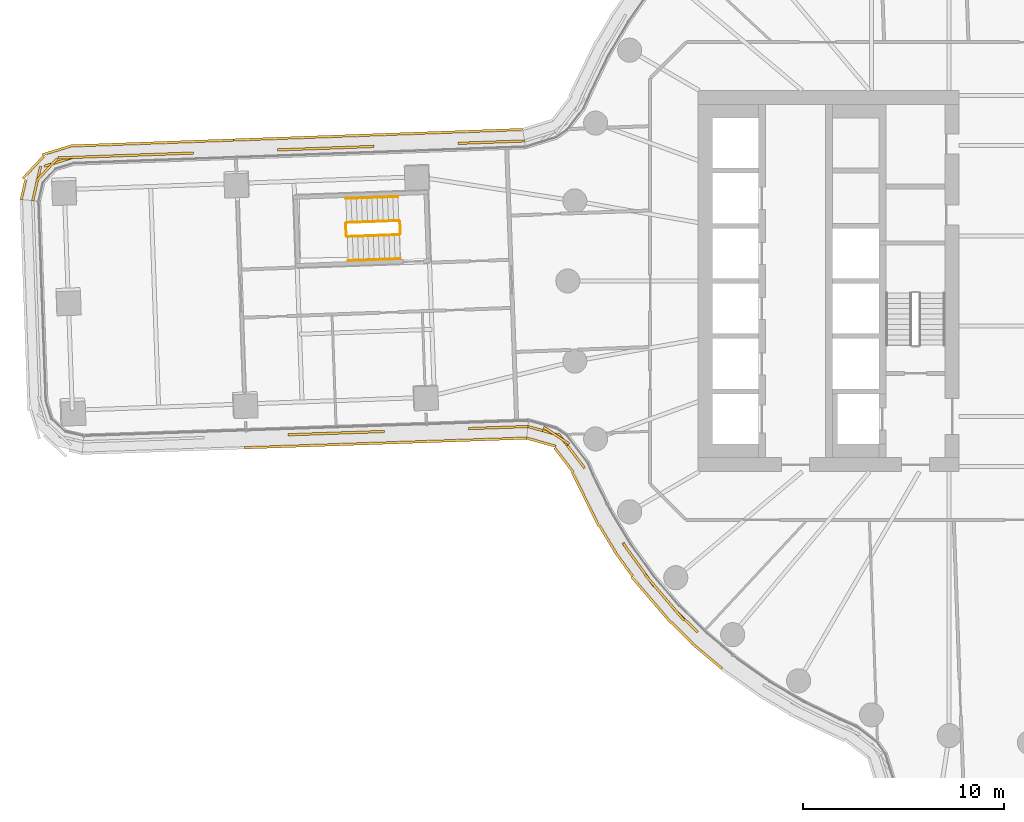
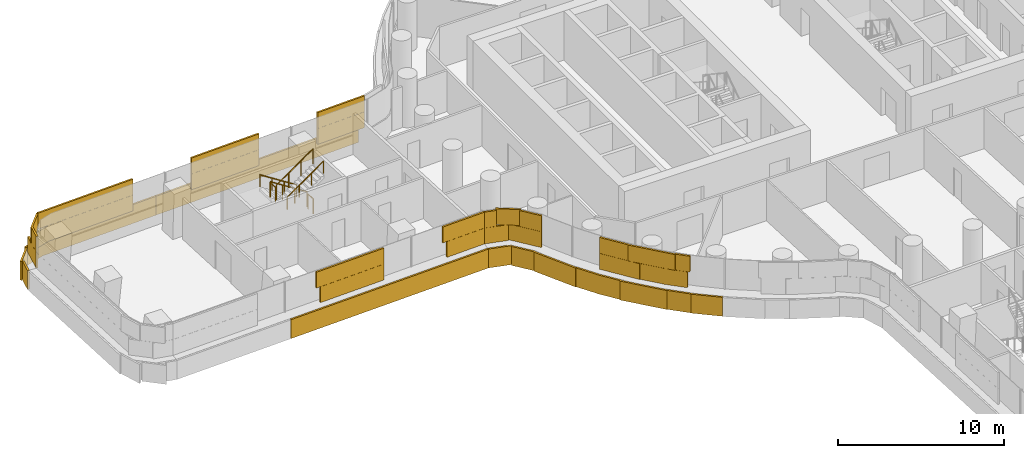
# One storey, part 27 of 31: 6 railings, 4 coverings.
"""IFC4 building model written with IfcOpenShell, lengths in metres."""

from ifc_helpers import new_model, si_unit, direction, frame, origin, origin_2d, place, context, subcontext, project, spatial, rectangle, circle, extrude, material, layer, layer_set, type_object, element, save


model = new_model("IFC4")

# Units and contexts
model_context = context("Model", 3, precision=1e-05, world=origin(), true_north=direction((0.0, 1.0)))
body_context = subcontext(model_context, "Body", "Model", "MODEL_VIEW")
ifc_project = project(units=[si_unit("LENGTHUNIT", "METRE"), si_unit("AREAUNIT", "SQUARE_METRE"), si_unit("VOLUMEUNIT", "CUBIC_METRE"), si_unit("PLANEANGLEUNIT", "RADIAN"), si_unit("MASSUNIT", "GRAM", prefix="KILO")], contexts=[model_context])

# Site, building, storey
site_placement = place(None, origin())
site = spatial("IfcSite", under=ifc_project, at=site_placement, CompositionType="ELEMENT")
building_placement = place(site_placement, origin())
building = spatial("IfcBuilding", under=site, at=building_placement, Name="Tamarind Cross Interchange Tower", CompositionType="ELEMENT")
storey_placement = place(building_placement, frame((0.0, 0.0, 41.5)))
storey = spatial("IfcBuildingStorey", under=building, at=storey_placement, Name="L08", CompositionType="ELEMENT", Elevation=41.5)

# Railings
ifc_material_1 = material(Name="Stair guard")
railing_type_1 = type_object("IfcRailingType", Name="Stair guard", PredefinedType="GUARDRAIL", material=ifc_material_1)
railing_1_placement = place(storey_placement, frame((-31.416015625, 3.0087890625, 0.17041015625)))
element("IfcRailing", 1, at=railing_1_placement, inside=storey, type_object=railing_type_1, Name="L08 ST5 stair guard 1", PredefinedType="GUARDRAIL", context=body_context, shape_type="SweptSolid", body=[
    extrude(circle(Radius=0.02392578125, at=origin_2d()), frame((0.0, 0.0, 1.076171875), z_axis=(-0.835723001818, -0.030548416436, 0.54830088317), x_axis=(0.036528883713, -0.999332597614, 0.0)), (0.0, 0.0, 1.0), 3.10888671875),
    extrude(circle(Radius=0.02099609375, at=origin_2d()), origin(), (0.0, 0.0, 1.0), 1.052001953125),
    extrude(circle(Radius=0.02099609375, at=origin_2d()), frame((-0.865966796875, -0.03173828125, 0.568115234375)), (0.0, 0.0, 1.0), 1.052001953125),
    extrude(circle(Radius=0.02099609375, at=origin_2d()), frame((-1.732177734375, -0.063232421875, 1.136474609375)), (0.0, 0.0, 1.0), 1.052001953125),
    extrude(circle(Radius=0.02099609375, at=origin_2d()), frame((-2.59814453125, -0.094970703125, 1.70458984375)), (0.0, 0.0, 1.0), 1.052001953125),
])
railing_2_placement = place(storey_placement, frame((-34.0625, 2.862060546875, 1.875)))
element("IfcRailing", 2, at=railing_2_placement, inside=storey, type_object=railing_type_1, Name="L08 ST5 stair guard 2", PredefinedType="GUARDRAIL", context=body_context, shape_type="SweptSolid", body=[
    extrude(circle(Radius=0.02392578125, at=origin_2d()), frame((0.0, 0.0, 1.076171875), z_axis=(0.036620371511, -0.999329249242, 0.0), x_axis=(0.999329249242, 0.036620371511, 0.0)), (0.0, 0.0, 1.0), 0.60009765625),
    extrude(circle(Radius=0.02099609375, at=origin_2d()), origin(), (0.0, 0.0, 1.0), 1.052001953125),
    extrude(circle(Radius=0.02099609375, at=origin_2d()), frame((0.02197265625, -0.599609375, 0.0)), (0.0, 0.0, 1.0), 1.052001953125),
])
railing_3_placement = place(storey_placement, frame((-33.98876953125, 2.21435546875, 2.04541015625)))
element("IfcRailing", 3, at=railing_3_placement, inside=storey, type_object=railing_type_1, Name="L08 ST5 stair guard 3", PredefinedType="GUARDRAIL", context=body_context, shape_type="SweptSolid", body=[
    extrude(circle(Radius=0.02392578125, at=origin_2d()), frame((0.0, 0.0, 1.076171875), z_axis=(0.835748683852, 0.03046795916, 0.548266213535), x_axis=(-0.036431685105, 0.999336145809, 0.0)), (0.0, 0.0, 1.0), 3.109130859375),
    extrude(circle(Radius=0.02099609375, at=origin_2d()), origin(), (0.0, 0.0, 1.0), 1.052001953125),
    extrude(circle(Radius=0.02099609375, at=origin_2d()), frame((0.8662109375, 0.031494140625, 0.568115234375)), (0.0, 0.0, 1.0), 1.052001953125),
    extrude(circle(Radius=0.02099609375, at=origin_2d()), frame((1.732177734375, 0.063232421875, 1.136474609375)), (0.0, 0.0, 1.0), 1.052001953125),
    extrude(circle(Radius=0.02099609375, at=origin_2d()), frame((2.598388671875, 0.0947265625, 1.70458984375)), (0.0, 0.0, 1.0), 1.052001953125),
])
railing_4_placement = place(storey_placement, frame((-31.3642578125, 2.96044921875, 0.0)))
element("IfcRailing", 4, at=railing_4_placement, inside=storey, type_object=railing_type_1, Name="L08 ST5 stair guard 4", PredefinedType="GUARDRAIL", context=body_context, shape_type="SweptSolid", body=[
    extrude(circle(Radius=0.02392578125, at=origin_2d()), frame((0.0, 0.0, 1.076171875), z_axis=(0.036620371511, -0.999329249242, 0.0), x_axis=(0.999329249242, 0.036620371511, 0.0)), (0.0, 0.0, 1.0), 0.60009765625),
    extrude(circle(Radius=0.02099609375, at=origin_2d()), origin(), (0.0, 0.0, 1.0), 1.052001953125),
    extrude(circle(Radius=0.02099609375, at=origin_2d()), frame((0.02197265625, -0.599609375, 0.0)), (0.0, 0.0, 1.0), 1.052001953125),
])
ifc_material_2 = material(Name="Stair handrail")
railing_type_2 = type_object("IfcRailingType", Name="Stair handrail", PredefinedType="HANDRAIL", material=ifc_material_2)
railing_5_placement = place(storey_placement, frame((-31.459716796875, 4.207763671875, 0.17041015625)))
element("IfcRailing", 5, at=railing_5_placement, inside=storey, type_object=railing_type_2, Name="L08 ST5 stair handrail 1", PredefinedType="HANDRAIL", context=body_context, shape_type="SweptSolid", body=[
    extrude(circle(Radius=0.02392578125, at=origin_2d()), frame((0.0, 0.0, 0.8759765625), z_axis=(-0.835748683852, -0.03046795916, 0.548266213535), x_axis=(0.036431685105, -0.999336145809, 0.0)), (0.0, 0.0, 1.0), 3.109130859375),
    extrude(circle(Radius=0.02099609375, at=origin_2d()), origin(), (0.0, 0.0, 1.0), 0.851806640625),
    extrude(circle(Radius=0.02099609375, at=origin_2d()), frame((-0.8662109375, -0.031494140625, 0.568115234375)), (0.0, 0.0, 1.0), 0.851806640625),
    extrude(circle(Radius=0.02099609375, at=origin_2d()), frame((-1.732177734375, -0.063232421875, 1.136474609375)), (0.0, 0.0, 1.0), 0.851806640625),
    extrude(circle(Radius=0.02099609375, at=origin_2d()), frame((-2.598388671875, -0.0947265625, 1.70458984375)), (0.0, 0.0, 1.0), 0.851806640625),
])
railing_6_placement = place(storey_placement, frame((-33.945068359375, 1.01513671875, 2.04541015625)))
element("IfcRailing", 6, at=railing_6_placement, inside=storey, type_object=railing_type_2, Name="L08 ST5 stair handrail 2", PredefinedType="HANDRAIL", context=body_context, shape_type="SweptSolid", body=[
    extrude(circle(Radius=0.02392578125, at=origin_2d()), frame((0.0, 0.0, 0.8759765625), z_axis=(0.835748683852, 0.03046795916, 0.548266213535), x_axis=(-0.036431685105, 0.999336145809, 0.0)), (0.0, 0.0, 1.0), 3.109130859375),
    extrude(circle(Radius=0.02099609375, at=origin_2d()), origin(), (0.0, 0.0, 1.0), 0.851806640625),
    extrude(circle(Radius=0.02099609375, at=origin_2d()), frame((0.8662109375, 0.031494140625, 0.568115234375)), (0.0, 0.0, 1.0), 0.851806640625),
    extrude(circle(Radius=0.02099609375, at=origin_2d()), frame((1.732177734375, 0.063232421875, 1.136474609375)), (0.0, 0.0, 1.0), 0.851806640625),
    extrude(circle(Radius=0.02099609375, at=origin_2d()), frame((2.598388671875, 0.0947265625, 1.70458984375)), (0.0, 0.0, 1.0), 0.851806640625),
])

# Coverings
ifc_material_3 = material(Name="Terracotta", Category="masonry")
ifc_layer = layer(ifc_material_3, 0.1201171875)
ifc_layer_set = layer_set([ifc_layer], Name="Terracotta")
covering_type = type_object("IfcCoveringType", Name="Terracotta baguette screen unit", PredefinedType="MOLDING", material=ifc_layer_set)
covering_1_placement = place(storey_placement, origin())
element("IfcCovering", 7, at=covering_1_placement, inside=storey, type_object=covering_type, Name="SCR-L08-01-01", PredefinedType="MOLDING", context=body_context, shape_type="SweptSolid", body=[
    extrude(rectangle(XDim=1.52001953125, YDim=0.1201171875, at=origin_2d()), frame((-35.895263671875, -7.62548828125, 1.404052734375), z_axis=(0.0, 0.0, 1.0), x_axis=(0.999410116016, 0.034342684894, 0.0)), (0.0, 0.0, 1.0), 1.1669921875),
    extrude(rectangle(XDim=1.52001953125, YDim=0.1201171875, at=origin_2d()), frame((-34.396240234375, -7.573974609375, 1.404052734375), z_axis=(0.0, 0.0, 1.0), x_axis=(0.999410116016, 0.034342684894, 0.0)), (0.0, 0.0, 1.0), 1.1669921875),
    extrude(rectangle(XDim=1.52001953125, YDim=0.1201171875, at=origin_2d()), frame((-32.89697265625, -7.5224609375, 1.404052734375), z_axis=(0.0, 0.0, 1.0), x_axis=(0.999410116016, 0.034342684894, 0.0)), (0.0, 0.0, 1.0), 1.1669921875),
    extrude(rectangle(XDim=1.52001953125, YDim=0.1201171875, at=origin_2d()), frame((-26.900634765625, -7.31640625, 1.404052734375), z_axis=(0.0, 0.0, 1.0), x_axis=(0.999410116016, 0.034342684894, 0.0)), (0.0, 0.0, 1.0), 1.1669921875),
    extrude(rectangle(XDim=1.177490234375, YDim=0.1201171875, at=origin_2d()), frame((-25.567626953125, -7.270751953125, 1.404052734375), z_axis=(0.0, 0.0, 1.0), x_axis=(0.999410116016, 0.034342684894, 0.0)), (0.0, 0.0, 1.0), 1.1669921875),
    extrude(rectangle(XDim=1.05859375, YDim=0.1201171875, at=origin_2d()), frame((-36.41943359375, -7.6435546875, 2.5791015625), z_axis=(0.0, 0.0, 1.0), x_axis=(0.999410116016, 0.034342684894, 0.0)), (0.0, 0.0, 1.0), 1.1669921875),
    extrude(rectangle(XDim=1.52001953125, YDim=0.1201171875, at=origin_2d()), frame((-35.145751953125, -7.599853515625, 2.5791015625), z_axis=(0.0, 0.0, 1.0), x_axis=(0.999410116016, 0.034342684894, 0.0)), (0.0, 0.0, 1.0), 1.1669921875),
    extrude(rectangle(XDim=1.52001953125, YDim=0.1201171875, at=origin_2d()), frame((-33.646728515625, -7.54833984375, 2.5791015625), z_axis=(0.0, 0.0, 1.0), x_axis=(0.999410116016, 0.034342684894, 0.0)), (0.0, 0.0, 1.0), 1.1669921875),
    extrude(rectangle(XDim=0.760498046875, YDim=0.1201171875, at=origin_2d()), frame((-32.52197265625, -7.509765625, 2.5791015625), z_axis=(0.0, 0.0, 1.0), x_axis=(0.999410116016, 0.034342684894, 0.0)), (0.0, 0.0, 1.0), 1.1669921875),
    extrude(rectangle(XDim=1.0595703125, YDim=0.1201171875, at=origin_2d()), frame((-27.425048828125, -7.33447265625, 2.5791015625), z_axis=(0.0, 0.0, 1.0), x_axis=(0.999410116016, 0.034342684894, 0.0)), (0.0, 0.0, 1.0), 1.1669921875),
    extrude(rectangle(XDim=1.52001953125, YDim=0.1201171875, at=origin_2d()), frame((-26.151123046875, -7.290771484375, 2.5791015625), z_axis=(0.0, 0.0, 1.0), x_axis=(0.999410116016, 0.034342684894, 0.0)), (0.0, 0.0, 1.0), 1.1669921875),
    extrude(rectangle(XDim=0.427490234375, YDim=0.1201171875, at=origin_2d()), frame((-25.19287109375, -7.2578125, 2.5791015625), z_axis=(0.0, 0.0, 1.0), x_axis=(0.999410116016, 0.034342684894, 0.0)), (0.0, 0.0, 1.0), 1.1669921875),
    extrude(rectangle(XDim=0.913818359375, YDim=0.1201171875, at=origin_2d()), frame((-38.645751953125, -8.29443359375, 0.00390625), z_axis=(0.0, 0.0, 1.0), x_axis=(0.999410116016, 0.034342684894, 0.0)), (0.0, 0.0, 1.0), 1.39208984375),
    extrude(rectangle(XDim=1.52001953125, YDim=0.1201171875, at=origin_2d()), frame((-37.44970703125, -8.25341796875, 0.00390625), z_axis=(0.0, 0.0, 1.0), x_axis=(0.999410116016, 0.034342684894, 0.0)), (0.0, 0.0, 1.0), 1.39208984375),
    extrude(rectangle(XDim=1.52001953125, YDim=0.1201171875, at=origin_2d()), frame((-35.950439453125, -8.201904296875, 0.00390625), z_axis=(0.0, 0.0, 1.0), x_axis=(0.999410116016, 0.034342684894, 0.0)), (0.0, 0.0, 1.0), 1.39208984375),
    extrude(rectangle(XDim=1.52001953125, YDim=0.1201171875, at=origin_2d()), frame((-34.451416015625, -8.150390625, 0.00390625), z_axis=(0.0, 0.0, 1.0), x_axis=(0.999410116016, 0.034342684894, 0.0)), (0.0, 0.0, 1.0), 1.39208984375),
    extrude(rectangle(XDim=1.52001953125, YDim=0.1201171875, at=origin_2d()), frame((-32.9521484375, -8.098876953125, 0.00390625), z_axis=(0.0, 0.0, 1.0), x_axis=(0.999410116016, 0.034342684894, 0.0)), (0.0, 0.0, 1.0), 1.39208984375),
    extrude(rectangle(XDim=1.52001953125, YDim=0.1201171875, at=origin_2d()), frame((-31.453125, -8.04736328125, 0.00390625), z_axis=(0.0, 0.0, 1.0), x_axis=(0.999410116016, 0.034342684894, 0.0)), (0.0, 0.0, 1.0), 1.39208984375),
    extrude(rectangle(XDim=1.52001953125, YDim=0.1201171875, at=origin_2d()), frame((-29.9541015625, -7.995849609375, 0.00390625), z_axis=(0.0, 0.0, 1.0), x_axis=(0.999410116016, 0.034342684894, 0.0)), (0.0, 0.0, 1.0), 1.39208984375),
    extrude(rectangle(XDim=1.52001953125, YDim=0.1201171875, at=origin_2d()), frame((-28.454833984375, -7.9443359375, 0.00390625), z_axis=(0.0, 0.0, 1.0), x_axis=(0.999410116016, 0.034342684894, 0.0)), (0.0, 0.0, 1.0), 1.39208984375),
    extrude(rectangle(XDim=1.52001953125, YDim=0.1201171875, at=origin_2d()), frame((-26.955810546875, -7.892822265625, 0.00390625), z_axis=(0.0, 0.0, 1.0), x_axis=(0.999410116016, 0.034342684894, 0.0)), (0.0, 0.0, 1.0), 1.39208984375),
    extrude(rectangle(XDim=1.16357421875, YDim=0.1201171875, at=origin_2d()), frame((-25.634765625, -7.847412109375, 0.00390625), z_axis=(0.0, 0.0, 1.0), x_axis=(0.999410116016, 0.034342684894, 0.0)), (0.0, 0.0, 1.0), 1.39208984375),
])
covering_2_placement = place(storey_placement, origin())
element("IfcCovering", 8, at=covering_2_placement, inside=storey, type_object=covering_type, Name="SCR-L08-02-00", PredefinedType="MOLDING", context=body_context, shape_type="SweptSolid", body=[
    extrude(rectangle(XDim=1.510009765625, YDim=0.1201171875, at=origin_2d()), frame((-24.261962890625, -7.452392578125, 1.404052734375), z_axis=(0.0, 0.0, 1.0), x_axis=(0.963144482152, -0.268984584131, 0.0)), (0.0, 0.0, 1.0), 1.1669921875),
    extrude(rectangle(XDim=1.52001953125, YDim=0.1201171875, at=origin_2d()), frame((-23.015869140625, -8.201171875, 1.404052734375), z_axis=(0.0, 0.0, 1.0), x_axis=(0.607187130285, -0.794558864286, 0.0)), (0.0, 0.0, 1.0), 1.1669921875),
    extrude(rectangle(XDim=0.66748046875, YDim=0.1201171875, at=origin_2d()), frame((-22.36083984375, -9.058349609375, 1.404052734375), z_axis=(0.0, 0.0, 1.0), x_axis=(0.607187130285, -0.794558864286, 0.0)), (0.0, 0.0, 1.0), 1.1669921875),
    extrude(rectangle(XDim=1.15234375, YDim=0.1201171875, at=origin_2d()), frame((-19.9189453125, -13.521728515625, 1.404052734375), z_axis=(0.0, 0.0, 1.0), x_axis=(0.584573890505, -0.811340475102, 0.0)), (0.0, 0.0, 1.0), 1.1669921875),
    extrude(rectangle(XDim=1.52001953125, YDim=0.1201171875, at=origin_2d()), frame((-19.146484375, -14.59375, 1.404052734375), z_axis=(0.0, 0.0, 1.0), x_axis=(0.584573890505, -0.811340475102, 0.0)), (0.0, 0.0, 1.0), 1.1669921875),
    extrude(rectangle(XDim=1.52001953125, YDim=0.1201171875, at=origin_2d()), frame((-18.19482421875, -15.751953125, 1.404052734375), z_axis=(0.0, 0.0, 1.0), x_axis=(0.64957723968, -0.760295606781, 0.0)), (0.0, 0.0, 1.0), 1.1669921875),
    extrude(rectangle(XDim=1.52001953125, YDim=0.1201171875, at=origin_2d()), frame((-17.18017578125, -16.855224609375, 1.404052734375), z_axis=(0.0, 0.0, 1.0), x_axis=(0.710143317658, -0.704057148523, 0.0)), (0.0, 0.0, 1.0), 1.1669921875),
    extrude(rectangle(XDim=0.760009765625, YDim=0.1201171875, at=origin_2d()), frame((-24.623046875, -7.3515625, 2.5791015625), z_axis=(0.0, 0.0, 1.0), x_axis=(0.963144482152, -0.268984584131, 0.0)), (0.0, 0.0, 1.0), 1.1669921875),
    extrude(rectangle(XDim=1.52001953125, YDim=0.1201171875, at=origin_2d()), frame((-23.561279296875, -7.701904296875, 2.5791015625), z_axis=(0.0, 0.0, 1.0), x_axis=(0.835833182103, -0.548983507671, 0.0)), (0.0, 0.0, 1.0), 1.1669921875),
    extrude(rectangle(XDim=1.41748046875, YDim=0.1201171875, at=origin_2d()), frame((-22.588623046875, -8.76025390625, 2.5791015625), z_axis=(0.0, 0.0, 1.0), x_axis=(0.607187130285, -0.794558864286, 0.0)), (0.0, 0.0, 1.0), 1.1669921875),
    extrude(rectangle(XDim=0.40234375, YDim=0.1201171875, at=origin_2d()), frame((-20.134521484375, -13.215087890625, 2.5791015625), z_axis=(0.0, 0.0, 1.0), x_axis=(0.515577308909, -0.856843065292, 0.0)), (0.0, 0.0, 1.0), 1.1669921875),
    extrude(rectangle(XDim=1.52001953125, YDim=0.1201171875, at=origin_2d()), frame((-19.5849609375, -13.9853515625, 2.5791015625), z_axis=(0.0, 0.0, 1.0), x_axis=(0.584573890505, -0.811340475102, 0.0)), (0.0, 0.0, 1.0), 1.1669921875),
    extrude(rectangle(XDim=1.52001953125, YDim=0.1201171875, at=origin_2d()), frame((-18.681884765625, -15.181640625, 2.5791015625), z_axis=(0.0, 0.0, 1.0), x_axis=(0.64957723968, -0.760295606781, 0.0)), (0.0, 0.0, 1.0), 1.1669921875),
    extrude(rectangle(XDim=1.52001953125, YDim=0.1201171875, at=origin_2d()), frame((-17.70751953125, -16.322265625, 2.5791015625), z_axis=(0.0, 0.0, 1.0), x_axis=(0.64957723968, -0.760295606781, 0.0)), (0.0, 0.0, 1.0), 1.1669921875),
    extrude(rectangle(XDim=0.9140625, YDim=0.1201171875, at=origin_2d()), frame((-16.859130859375, -17.17333984375, 2.5791015625), z_axis=(0.0, 0.0, 1.0), x_axis=(0.710143317658, -0.704057148523, 0.0)), (0.0, 0.0, 1.0), 1.1669921875),
    extrude(rectangle(XDim=1.510009765625, YDim=0.1201171875, at=origin_2d()), frame((-24.326171875, -8.030517578125, 0.00390625), z_axis=(0.0, 0.0, 1.0), x_axis=(0.963144482152, -0.268984584131, 0.0)), (0.0, 0.0, 1.0), 1.39208984375),
    extrude(rectangle(XDim=1.52001953125, YDim=0.1201171875, at=origin_2d()), frame((-23.191162109375, -8.917236328125, 0.00390625), z_axis=(0.0, 0.0, 1.0), x_axis=(0.607187130285, -0.794558864286, 0.0)), (0.0, 0.0, 1.0), 1.39208984375),
    extrude(rectangle(XDim=1.52001953125, YDim=0.1201171875, at=origin_2d()), frame((-22.441650390625, -10.203125, 0.00390625), z_axis=(0.0, 0.0, 1.0), x_axis=(0.443058811505, -0.896492548518, 0.0)), (0.0, 0.0, 1.0), 1.39208984375),
    extrude(rectangle(XDim=1.52001953125, YDim=0.1201171875, at=origin_2d()), frame((-21.777099609375, -11.5478515625, 0.00390625), z_axis=(0.0, 0.0, 1.0), x_axis=(0.443058811505, -0.896492548518, 0.0)), (0.0, 0.0, 1.0), 1.39208984375),
    extrude(rectangle(XDim=1.52001953125, YDim=0.1201171875, at=origin_2d()), frame((-21.026611328125, -12.845703125, 0.00390625), z_axis=(0.0, 0.0, 1.0), x_axis=(0.515577308909, -0.856843065292, 0.0)), (0.0, 0.0, 1.0), 1.39208984375),
    extrude(rectangle(XDim=1.52001953125, YDim=0.1201171875, at=origin_2d()), frame((-20.20849609375, -14.1015625, 0.00390625), z_axis=(0.0, 0.0, 1.0), x_axis=(0.584573890505, -0.811340475102, 0.0)), (0.0, 0.0, 1.0), 1.39208984375),
    extrude(rectangle(XDim=1.52001953125, YDim=0.1201171875, at=origin_2d()), frame((-19.32470703125, -15.31298828125, 0.00390625), z_axis=(0.0, 0.0, 1.0), x_axis=(0.64957723968, -0.760295606781, 0.0)), (0.0, 0.0, 1.0), 1.39208984375),
    extrude(rectangle(XDim=1.52001953125, YDim=0.1201171875, at=origin_2d()), frame((-18.350341796875, -16.453369140625, 0.00390625), z_axis=(0.0, 0.0, 1.0), x_axis=(0.64957723968, -0.760295606781, 0.0)), (0.0, 0.0, 1.0), 1.39208984375),
    extrude(rectangle(XDim=1.52001953125, YDim=0.1201171875, at=origin_2d()), frame((-17.31103515625, -17.53369140625, 0.00390625), z_axis=(0.0, 0.0, 1.0), x_axis=(0.710143317658, -0.704057148523, 0.0)), (0.0, 0.0, 1.0), 1.39208984375),
    extrude(rectangle(XDim=1.52001953125, YDim=0.1201171875, at=origin_2d()), frame((-16.21630859375, -18.557373046875, 0.00390625), z_axis=(0.0, 0.0, 1.0), x_axis=(0.765858396687, -0.643009266048, 0.0)), (0.0, 0.0, 1.0), 1.39208984375),
    extrude(rectangle(XDim=0.443115234375, YDim=0.1201171875, at=origin_2d()), frame((-15.479736328125, -19.175537109375, 0.00390625), z_axis=(0.0, 0.0, 1.0), x_axis=(0.765858396687, -0.643009266048, 0.0)), (0.0, 0.0, 1.0), 1.39208984375),
])
covering_3_placement = place(storey_placement, origin())
element("IfcCovering", 9, at=covering_3_placement, inside=storey, type_object=covering_type, Name="SCR-L08-15-00", PredefinedType="MOLDING", context=body_context, shape_type="SweptSolid", body=[
    extrude(rectangle(XDim=1.510009765625, YDim=0.1201171875, at=origin_2d()), frame((-25.90087890625, 6.952392578125, 1.404052734375), z_axis=(0.0, 0.0, 1.0), x_axis=(-0.999335028671, -0.036462315768, 0.0)), (0.0, 0.0, 1.0), 1.1669921875),
    extrude(rectangle(XDim=1.52001953125, YDim=0.1201171875, at=origin_2d()), frame((-27.39990234375, 6.897705078125, 1.404052734375), z_axis=(0.0, 0.0, 1.0), x_axis=(-0.999335028671, -0.036462315768, 0.0)), (0.0, 0.0, 1.0), 1.1669921875),
    extrude(rectangle(XDim=0.326904296875, YDim=0.1201171875, at=origin_2d()), frame((-28.307861328125, 6.864501953125, 1.404052734375), z_axis=(0.0, 0.0, 1.0), x_axis=(-0.999335028671, -0.036462315768, 0.0)), (0.0, 0.0, 1.0), 1.1669921875),
    extrude(rectangle(XDim=1.492919921875, YDim=0.1201171875, at=origin_2d()), frame((-33.404541015625, 6.6787109375, 1.404052734375), z_axis=(0.0, 0.0, 1.0), x_axis=(-0.999335028671, -0.036462315768, 0.0)), (0.0, 0.0, 1.0), 1.1669921875),
    extrude(rectangle(XDim=1.52001953125, YDim=0.1201171875, at=origin_2d()), frame((-34.89501953125, 6.624267578125, 1.404052734375), z_axis=(0.0, 0.0, 1.0), x_axis=(-0.999335028671, -0.036462315768, 0.0)), (0.0, 0.0, 1.0), 1.1669921875),
    extrude(rectangle(XDim=1.52001953125, YDim=0.1201171875, at=origin_2d()), frame((-36.39404296875, 6.569580078125, 1.404052734375), z_axis=(0.0, 0.0, 1.0), x_axis=(-0.999335028671, -0.036462315768, 0.0)), (0.0, 0.0, 1.0), 1.1669921875),
    extrude(rectangle(XDim=0.326904296875, YDim=0.1201171875, at=origin_2d()), frame((-37.3017578125, 6.536376953125, 1.404052734375), z_axis=(0.0, 0.0, 1.0), x_axis=(-0.999335028671, -0.036462315768, 0.0)), (0.0, 0.0, 1.0), 1.1669921875),
    extrude(rectangle(XDim=0.760009765625, YDim=0.1201171875, at=origin_2d()), frame((-25.526123046875, 6.966064453125, 2.5791015625), z_axis=(0.0, 0.0, 1.0), x_axis=(-0.999335028671, -0.036462315768, 0.0)), (0.0, 0.0, 1.0), 1.1669921875),
    extrude(rectangle(XDim=1.52001953125, YDim=0.1201171875, at=origin_2d()), frame((-26.650390625, 6.925048828125, 2.5791015625), z_axis=(0.0, 0.0, 1.0), x_axis=(-0.999335028671, -0.036462315768, 0.0)), (0.0, 0.0, 1.0), 1.1669921875),
    extrude(rectangle(XDim=1.076904296875, YDim=0.1201171875, at=origin_2d()), frame((-27.93310546875, 6.878173828125, 2.5791015625), z_axis=(0.0, 0.0, 1.0), x_axis=(-0.999335028671, -0.036462315768, 0.0)), (0.0, 0.0, 1.0), 1.1669921875),
    extrude(rectangle(XDim=0.742919921875, YDim=0.1201171875, at=origin_2d()), frame((-33.02978515625, 6.6923828125, 2.5791015625), z_axis=(0.0, 0.0, 1.0), x_axis=(-0.999335028671, -0.036462315768, 0.0)), (0.0, 0.0, 1.0), 1.1669921875),
    extrude(rectangle(XDim=1.52001953125, YDim=0.1201171875, at=origin_2d()), frame((-34.1455078125, 6.651611328125, 2.5791015625), z_axis=(0.0, 0.0, 1.0), x_axis=(-0.999335028671, -0.036462315768, 0.0)), (0.0, 0.0, 1.0), 1.1669921875),
    extrude(rectangle(XDim=1.52001953125, YDim=0.1201171875, at=origin_2d()), frame((-35.64453125, 6.596923828125, 2.5791015625), z_axis=(0.0, 0.0, 1.0), x_axis=(-0.999335028671, -0.036462315768, 0.0)), (0.0, 0.0, 1.0), 1.1669921875),
    extrude(rectangle(XDim=1.076904296875, YDim=0.1201171875, at=origin_2d()), frame((-36.927001953125, 6.550048828125, 2.5791015625), z_axis=(0.0, 0.0, 1.0), x_axis=(-0.999335028671, -0.036462315768, 0.0)), (0.0, 0.0, 1.0), 1.1669921875),
    extrude(rectangle(XDim=1.510009765625, YDim=0.1201171875, at=origin_2d()), frame((-26.0029296875, 7.52294921875, 0.00390625), z_axis=(0.0, 0.0, 1.0), x_axis=(-0.999335028671, -0.036462315768, 0.0)), (0.0, 0.0, 1.0), 1.39208984375),
    extrude(rectangle(XDim=1.52001953125, YDim=0.1201171875, at=origin_2d()), frame((-27.4970703125, 7.468505859375, 0.00390625), z_axis=(0.0, 0.0, 1.0), x_axis=(-0.999335028671, -0.036462315768, 0.0)), (0.0, 0.0, 1.0), 1.39208984375),
    extrude(rectangle(XDim=1.52001953125, YDim=0.1201171875, at=origin_2d()), frame((-28.99609375, 7.413818359375, 0.00390625), z_axis=(0.0, 0.0, 1.0), x_axis=(-0.999335028671, -0.036462315768, 0.0)), (0.0, 0.0, 1.0), 1.39208984375),
    extrude(rectangle(XDim=1.52001953125, YDim=0.1201171875, at=origin_2d()), frame((-30.4951171875, 7.359130859375, 0.00390625), z_axis=(0.0, 0.0, 1.0), x_axis=(-0.999335028671, -0.036462315768, 0.0)), (0.0, 0.0, 1.0), 1.39208984375),
    extrude(rectangle(XDim=1.52001953125, YDim=0.1201171875, at=origin_2d()), frame((-31.994140625, 7.304443359375, 0.00390625), z_axis=(0.0, 0.0, 1.0), x_axis=(-0.999335028671, -0.036462315768, 0.0)), (0.0, 0.0, 1.0), 1.39208984375),
    extrude(rectangle(XDim=1.52001953125, YDim=0.1201171875, at=origin_2d()), frame((-33.4931640625, 7.249755859375, 0.00390625), z_axis=(0.0, 0.0, 1.0), x_axis=(-0.999335028671, -0.036462315768, 0.0)), (0.0, 0.0, 1.0), 1.39208984375),
    extrude(rectangle(XDim=1.52001953125, YDim=0.1201171875, at=origin_2d()), frame((-34.9921875, 7.195068359375, 0.00390625), z_axis=(0.0, 0.0, 1.0), x_axis=(-0.999335028671, -0.036462315768, 0.0)), (0.0, 0.0, 1.0), 1.39208984375),
    extrude(rectangle(XDim=1.52001953125, YDim=0.1201171875, at=origin_2d()), frame((-36.490966796875, 7.140380859375, 0.00390625), z_axis=(0.0, 0.0, 1.0), x_axis=(-0.999335028671, -0.036462315768, 0.0)), (0.0, 0.0, 1.0), 1.39208984375),
    extrude(rectangle(XDim=1.52001953125, YDim=0.1201171875, at=origin_2d()), frame((-37.989990234375, 7.085693359375, 0.00390625), z_axis=(0.0, 0.0, 1.0), x_axis=(-0.999335028671, -0.036462315768, 0.0)), (0.0, 0.0, 1.0), 1.39208984375),
    extrude(rectangle(XDim=0.926513671875, YDim=0.1201171875, at=origin_2d()), frame((-39.192626953125, 7.041748046875, 0.00390625), z_axis=(0.0, 0.0, 1.0), x_axis=(-0.999335028671, -0.036462315768, 0.0)), (0.0, 0.0, 1.0), 1.39208984375),
])
covering_4_placement = place(storey_placement, origin())
element("IfcCovering", 10, at=covering_4_placement, inside=storey, type_object=covering_type, Name="SCR-L08-15-01", PredefinedType="MOLDING", context=body_context, shape_type="SweptSolid", body=[
    extrude(rectangle(XDim=1.4931640625, YDim=0.1201171875, at=origin_2d()), frame((-42.3984375, 6.350341796875, 1.404052734375), z_axis=(0.0, 0.0, 1.0), x_axis=(-0.999335028671, -0.036462315768, 0.0)), (0.0, 0.0, 1.0), 1.1669921875),
    extrude(rectangle(XDim=1.52001953125, YDim=0.1201171875, at=origin_2d()), frame((-43.888916015625, 6.296142578125, 1.404052734375), z_axis=(0.0, 0.0, 1.0), x_axis=(-0.999335028671, -0.036462315768, 0.0)), (0.0, 0.0, 1.0), 1.1669921875),
    extrude(rectangle(XDim=1.52001953125, YDim=0.1201171875, at=origin_2d()), frame((-45.387939453125, 6.241455078125, 1.404052734375), z_axis=(0.0, 0.0, 1.0), x_axis=(-0.999335028671, -0.036462315768, 0.0)), (0.0, 0.0, 1.0), 1.1669921875),
    extrude(rectangle(XDim=1.52001953125, YDim=0.1201171875, at=origin_2d()), frame((-46.886962890625, 6.186767578125, 1.404052734375), z_axis=(0.0, 0.0, 1.0), x_axis=(-0.999335028671, -0.036462315768, 0.0)), (0.0, 0.0, 1.0), 1.1669921875),
    extrude(rectangle(XDim=1.52001953125, YDim=0.1201171875, at=origin_2d()), frame((-48.354248046875, 5.94384765625, 1.404052734375), z_axis=(0.0, 0.0, 1.0), x_axis=(-0.955846371559, -0.293866830345, 0.0)), (0.0, 0.0, 1.0), 1.1669921875),
    extrude(rectangle(XDim=1.52001953125, YDim=0.1201171875, at=origin_2d()), frame((-49.434326171875, 4.97607421875, 1.404052734375), z_axis=(0.0, 0.0, 1.0), x_axis=(-0.223427045372, -0.974720655058, 0.0)), (0.0, 0.0, 1.0), 1.1669921875),
    extrude(rectangle(XDim=0.255126953125, YDim=0.1201171875, at=origin_2d()), frame((-49.629150390625, 4.12548828125, 1.404052734375), z_axis=(0.0, 0.0, 1.0), x_axis=(-0.223427045372, -0.974720655058, 0.0)), (0.0, 0.0, 1.0), 1.1669921875),
    extrude(rectangle(XDim=0.7431640625, YDim=0.1201171875, at=origin_2d()), frame((-42.023681640625, 6.364013671875, 2.5791015625), z_axis=(0.0, 0.0, 1.0), x_axis=(-0.999335028671, -0.036462315768, 0.0)), (0.0, 0.0, 1.0), 1.1669921875),
    extrude(rectangle(XDim=1.52001953125, YDim=0.1201171875, at=origin_2d()), frame((-43.139404296875, 6.323486328125, 2.5791015625), z_axis=(0.0, 0.0, 1.0), x_axis=(-0.999335028671, -0.036462315768, 0.0)), (0.0, 0.0, 1.0), 1.1669921875),
    extrude(rectangle(XDim=1.52001953125, YDim=0.1201171875, at=origin_2d()), frame((-44.638427734375, 6.268798828125, 2.5791015625), z_axis=(0.0, 0.0, 1.0), x_axis=(-0.999335028671, -0.036462315768, 0.0)), (0.0, 0.0, 1.0), 1.1669921875),
    extrude(rectangle(XDim=1.52001953125, YDim=0.1201171875, at=origin_2d()), frame((-46.137451171875, 6.214111328125, 2.5791015625), z_axis=(0.0, 0.0, 1.0), x_axis=(-0.999335028671, -0.036462315768, 0.0)), (0.0, 0.0, 1.0), 1.1669921875),
    extrude(rectangle(XDim=1.52001953125, YDim=0.1201171875, at=origin_2d()), frame((-47.636474609375, 6.159423828125, 2.5791015625), z_axis=(0.0, 0.0, 1.0), x_axis=(-0.999335028671, -0.036462315768, 0.0)), (0.0, 0.0, 1.0), 1.1669921875),
    extrude(rectangle(XDim=1.52001953125, YDim=0.1201171875, at=origin_2d()), frame((-48.95849609375, 5.543701171875, 2.5791015625), z_axis=(0.0, 0.0, 1.0), x_axis=(-0.680853824713, -0.732419326188, 0.0)), (0.0, 0.0, 1.0), 1.1669921875),
    extrude(rectangle(XDim=1.005126953125, YDim=0.1201171875, at=origin_2d()), frame((-49.54541015625, 4.490966796875, 2.5791015625), z_axis=(0.0, 0.0, 1.0), x_axis=(-0.223427045372, -0.974720655058, 0.0)), (0.0, 0.0, 1.0), 1.1669921875),
    extrude(rectangle(XDim=0.593505859375, YDim=0.1201171875, at=origin_2d()), frame((-39.9521484375, 7.01416015625, 0.00390625), z_axis=(0.0, 0.0, 1.0), x_axis=(-0.999335028671, -0.036462315768, 0.0)), (0.0, 0.0, 1.0), 1.39208984375),
    extrude(rectangle(XDim=1.52001953125, YDim=0.1201171875, at=origin_2d()), frame((-40.988037109375, 6.976318359375, 0.00390625), z_axis=(0.0, 0.0, 1.0), x_axis=(-0.999335028671, -0.036462315768, 0.0)), (0.0, 0.0, 1.0), 1.39208984375),
    extrude(rectangle(XDim=1.52001953125, YDim=0.1201171875, at=origin_2d()), frame((-42.487060546875, 6.921630859375, 0.00390625), z_axis=(0.0, 0.0, 1.0), x_axis=(-0.999335028671, -0.036462315768, 0.0)), (0.0, 0.0, 1.0), 1.39208984375),
    extrude(rectangle(XDim=1.52001953125, YDim=0.1201171875, at=origin_2d()), frame((-43.986083984375, 6.866943359375, 0.00390625), z_axis=(0.0, 0.0, 1.0), x_axis=(-0.999335028671, -0.036462315768, 0.0)), (0.0, 0.0, 1.0), 1.39208984375),
    extrude(rectangle(XDim=1.52001953125, YDim=0.1201171875, at=origin_2d()), frame((-45.485107421875, 6.812255859375, 0.00390625), z_axis=(0.0, 0.0, 1.0), x_axis=(-0.999335028671, -0.036462315768, 0.0)), (0.0, 0.0, 1.0), 1.39208984375),
    extrude(rectangle(XDim=1.52001953125, YDim=0.1201171875, at=origin_2d()), frame((-46.984130859375, 6.757568359375, 0.00390625), z_axis=(0.0, 0.0, 1.0), x_axis=(-0.999335028671, -0.036462315768, 0.0)), (0.0, 0.0, 1.0), 1.39208984375),
    extrude(rectangle(XDim=1.52001953125, YDim=0.1201171875, at=origin_2d()), frame((-48.451171875, 6.514404296875, 0.00390625), z_axis=(0.0, 0.0, 1.0), x_axis=(-0.955846371559, -0.293866830345, 0.0)), (0.0, 0.0, 1.0), 1.39208984375),
    extrude(rectangle(XDim=1.52001953125, YDim=0.1201171875, at=origin_2d()), frame((-49.629150390625, 5.66552734375, 0.00390625), z_axis=(0.0, 0.0, 1.0), x_axis=(-0.680853824713, -0.732419326188, 0.0)), (0.0, 0.0, 1.0), 1.39208984375),
    extrude(rectangle(XDim=1.020751953125, YDim=0.1201171875, at=origin_2d()), frame((-50.118896484375, 4.55810546875, 0.00390625), z_axis=(0.0, 0.0, 1.0), x_axis=(-0.223427045372, -0.974720655058, 0.0)), (0.0, 0.0, 1.0), 1.39208984375),
])

save(model, "model.ifc")
